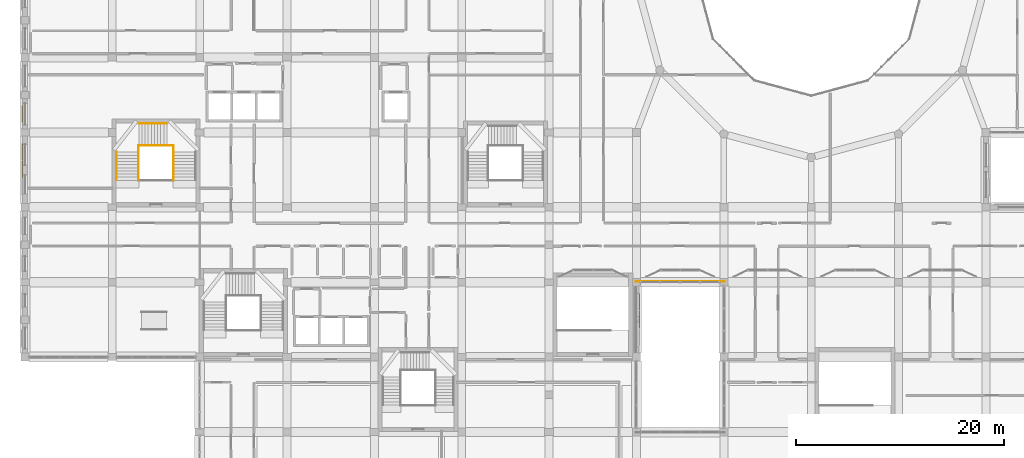
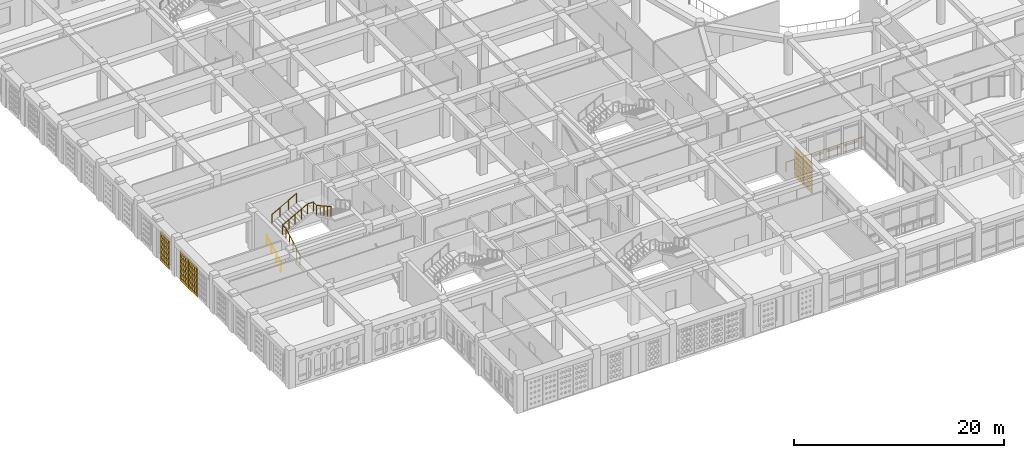
# One storey, part 94 of 121: 6 railings, 5 coverings.
"""IFC4 building model written with IfcOpenShell, lengths in metres."""

from ifc_helpers import new_model, si_unit, derived_unit, direction, frame, origin, origin_2d, place, context, subcontext, project, spatial, polyline, circle, outline, extrude, material, layer, layer_set, type_object, element, save


model = new_model("IFC4")

# Units and contexts
model_context = context("Model", 3, precision=1e-05, world=origin(), true_north=direction((0.0, 1.0)))
body_context = subcontext(model_context, "Body", "Model", "MODEL_VIEW")
ifc_project = project(units=[si_unit("LENGTHUNIT", "METRE"), si_unit("AREAUNIT", "SQUARE_METRE"), si_unit("VOLUMEUNIT", "CUBIC_METRE"), si_unit("PLANEANGLEUNIT", "RADIAN"), si_unit("MASSUNIT", "GRAM", prefix="KILO"), derived_unit("THERMALTRANSMITTANCEUNIT", [(si_unit("POWERUNIT", "WATT"), 1), (si_unit("LENGTHUNIT", "METRE"), -2), (si_unit("THERMODYNAMICTEMPERATUREUNIT", "KELVIN"), -1)])], contexts=[model_context])

# Site, building, storey
site_placement = place(None, origin())
site = spatial("IfcSite", under=ifc_project, at=site_placement, CompositionType="ELEMENT")
building_placement = place(site_placement, origin())
building = spatial("IfcBuilding", under=site, at=building_placement, Name="Veybourne Emporium", CompositionType="ELEMENT")
storey_placement = place(building_placement, frame((0.0, 0.0, 5.39990234375)))
storey = spatial("IfcBuildingStorey", under=building, at=storey_placement, Name="L01", CompositionType="ELEMENT", Elevation=5.39990234375)

# Railings
ifc_material_1 = material(Name="Patinated Architectural Bronze", Category="bronze")
railing_type_1 = type_object("IfcRailingType", Name="Balustrade_BL-01", PredefinedType="BALUSTRADE", material=ifc_material_1)
railing_1_placement = place(storey_placement, frame((67.260009765625, 21.659912109375, 0.0)))
element("IfcRailing", 1, at=railing_1_placement, inside=storey, type_object=railing_type_1, Name="L01 shopping arcade gallery balustrade 3", PredefinedType="BALUSTRADE", context=body_context, shape_type="SweptSolid", body=[
    extrude(circle(Radius=0.02392578125, at=origin_2d()), frame((0.0, 0.0, 1.1259765625), z_axis=(-1.0, 0.0, 0.0), x_axis=(0.0, -1.0, 0.0)), (0.0, 0.0, 1.0), 8.52001953125),
    extrude(circle(Radius=0.02099609375, at=origin_2d()), origin(), (0.0, 0.0, 1.0), 1.101806640625),
    extrude(circle(Radius=0.02099609375, at=origin_2d()), frame((-0.94677734375, 0.0, 0.0)), (0.0, 0.0, 1.0), 1.101806640625),
    extrude(circle(Radius=0.02099609375, at=origin_2d()), frame((-1.893310546875, 0.0, 0.0)), (0.0, 0.0, 1.0), 1.101806640625),
    extrude(circle(Radius=0.02099609375, at=origin_2d()), frame((-2.840087890625, 0.0, 0.0)), (0.0, 0.0, 1.0), 1.101806640625),
    extrude(circle(Radius=0.02099609375, at=origin_2d()), frame((-3.78662109375, 0.0, 0.0)), (0.0, 0.0, 1.0), 1.101806640625),
    extrude(circle(Radius=0.02099609375, at=origin_2d()), frame((-4.7333984375, 0.0, 0.0)), (0.0, 0.0, 1.0), 1.101806640625),
    extrude(circle(Radius=0.02099609375, at=origin_2d()), frame((-5.679931640625, 0.0, 0.0)), (0.0, 0.0, 1.0), 1.101806640625),
    extrude(circle(Radius=0.02099609375, at=origin_2d()), frame((-6.626708984375, 0.0, 0.0)), (0.0, 0.0, 1.0), 1.101806640625),
    extrude(circle(Radius=0.02099609375, at=origin_2d()), frame((-7.5732421875, 0.0, 0.0)), (0.0, 0.0, 1.0), 1.101806640625),
    extrude(circle(Radius=0.02099609375, at=origin_2d()), frame((-8.52001953125, 0.0, 0.0)), (0.0, 0.0, 1.0), 1.101806640625),
])
ifc_material_2 = material(Name="Brushed Stainless Steel", Category="steel")
railing_type_2 = type_object("IfcRailingType", Name="Guard_GR-01", PredefinedType="GUARDRAIL", material=ifc_material_2)
railing_2_placement = place(storey_placement, frame((10.909912109375, 31.39990234375, 0.0)))
element("IfcRailing", 2, at=railing_2_placement, inside=storey, type_object=railing_type_2, Name="L01 ST-02 stair guard 1", PredefinedType="GUARDRAIL", context=body_context, shape_type="SweptSolid", body=[
    extrude(circle(Radius=0.02392578125, at=origin_2d()), frame((0.0, 0.0, 1.1259765625), z_axis=(0.0, 0.874172188743, 0.48561608749), x_axis=(-1.0, 0.0, 0.0)), (0.0, 0.0, 1.0), 3.0888671875),
    extrude(circle(Radius=0.02392578125, at=origin_2d()), frame((0.0, 2.7001953125, 2.6259765625), z_axis=(0.0, 1.0, 0.0), x_axis=(-1.0, 0.0, 0.0)), (0.0, 0.0, 1.0), 0.639892578125),
    extrude(circle(Radius=0.02099609375, at=origin_2d()), origin(), (0.0, 0.0, 1.0), 1.101806640625),
    extrude(circle(Radius=0.02099609375, at=origin_2d()), frame((0.0, 0.675048828125, 0.375)), (0.0, 0.0, 1.0), 1.101806640625),
    extrude(circle(Radius=0.02099609375, at=origin_2d()), frame((0.0, 1.35009765625, 0.75)), (0.0, 0.0, 1.0), 1.101806640625),
    extrude(circle(Radius=0.02099609375, at=origin_2d()), frame((0.0, 2.025146484375, 1.125)), (0.0, 0.0, 1.0), 1.101806640625),
    extrude(circle(Radius=0.02099609375, at=origin_2d()), frame((0.0, 2.7001953125, 1.5)), (0.0, 0.0, 1.0), 1.101806640625),
    extrude(circle(Radius=0.02099609375, at=origin_2d()), frame((0.0, 3.340087890625, 1.5)), (0.0, 0.0, 1.0), 1.101806640625),
])
railing_3_placement = place(storey_placement, frame((10.909912109375, 34.739990234375, 1.5)))
element("IfcRailing", 3, at=railing_3_placement, inside=storey, type_object=railing_type_2, Name="L01 ST-02 stair guard 2", PredefinedType="GUARDRAIL", context=body_context, shape_type="SweptSolid", body=[
    extrude(circle(Radius=0.02392578125, at=origin_2d()), frame((0.0, 0.0, 1.1259765625), z_axis=(0.87715976088, 0.0, 0.480198660861), x_axis=(0.0, 1.0, 0.0)), (0.0, 0.0, 1.0), 3.123779296875),
    extrude(circle(Radius=0.02392578125, at=origin_2d()), frame((2.739990234375, 0.0, 2.6259765625), z_axis=(1.0, 0.0, 0.0), x_axis=(0.0, 1.0, 0.0)), (0.0, 0.0, 1.0), 0.64013671875),
    extrude(circle(Radius=0.02099609375, at=origin_2d()), origin(), (0.0, 0.0, 1.0), 1.101806640625),
    extrude(circle(Radius=0.02099609375, at=origin_2d()), frame((0.68505859375, 0.0, 0.375)), (0.0, 0.0, 1.0), 1.101806640625),
    extrude(circle(Radius=0.02099609375, at=origin_2d()), frame((1.3701171875, 0.0, 0.75)), (0.0, 0.0, 1.0), 1.101806640625),
    extrude(circle(Radius=0.02099609375, at=origin_2d()), frame((2.054931640625, 0.0, 1.125)), (0.0, 0.0, 1.0), 1.101806640625),
    extrude(circle(Radius=0.02099609375, at=origin_2d()), frame((2.739990234375, 0.0, 1.5)), (0.0, 0.0, 1.0), 1.101806640625),
    extrude(circle(Radius=0.02099609375, at=origin_2d()), frame((3.380126953125, 0.0, 1.5)), (0.0, 0.0, 1.0), 1.101806640625),
])
railing_4_placement = place(storey_placement, frame((14.2900390625, 34.739990234375, 3.0)))
element("IfcRailing", 4, at=railing_4_placement, inside=storey, type_object=railing_type_2, Name="L01 ST-02 stair guard 3", PredefinedType="GUARDRAIL", context=body_context, shape_type="SweptSolid", body=[
    extrude(circle(Radius=0.02392578125, at=origin_2d()), frame((0.0, 0.0, 1.1259765625), z_axis=(0.0, -1.0, 0.0), x_axis=(1.0, 0.0, 0.0)), (0.0, 0.0, 1.0), 0.639892578125),
    extrude(circle(Radius=0.02392578125, at=origin_2d()), frame((0.0, -0.639892578125, 1.1259765625), z_axis=(0.0, -0.874172188743, 0.48561608749), x_axis=(1.0, 0.0, 0.0)), (0.0, 0.0, 1.0), 3.0888671875),
    extrude(circle(Radius=0.02099609375, at=origin_2d()), origin(), (0.0, 0.0, 1.0), 1.101806640625),
    extrude(circle(Radius=0.02099609375, at=origin_2d()), frame((0.0, -0.639892578125, 0.0)), (0.0, 0.0, 1.0), 1.101806640625),
    extrude(circle(Radius=0.02099609375, at=origin_2d()), frame((0.0, -1.31494140625, 0.375)), (0.0, 0.0, 1.0), 1.101806640625),
    extrude(circle(Radius=0.02099609375, at=origin_2d()), frame((0.0, -1.989990234375, 0.75)), (0.0, 0.0, 1.0), 1.101806640625),
    extrude(circle(Radius=0.02099609375, at=origin_2d()), frame((0.0, -2.6650390625, 1.125)), (0.0, 0.0, 1.0), 1.101806640625),
    extrude(circle(Radius=0.02099609375, at=origin_2d()), frame((0.0, -3.340087890625, 1.5)), (0.0, 0.0, 1.0), 1.101806640625),
])
railing_type_3 = type_object("IfcRailingType", Name="Handrail_HR-01", PredefinedType="HANDRAIL", material=ifc_material_2)
railing_5_placement = place(storey_placement, frame((8.81005859375, 31.39990234375, 0.150146484375)))
element("IfcRailing", 5, at=railing_5_placement, inside=storey, type_object=railing_type_3, Name="L01 ST-02 pitch handrail 1", PredefinedType="HANDRAIL", context=body_context, shape_type="SweptSolid", body=[
    extrude(circle(Radius=0.02392578125, at=origin_2d()), frame((0.0, 0.0, 0.92578125), z_axis=(0.0, 0.874172188743, 0.48561608749), x_axis=(-1.0, 0.0, 0.0)), (0.0, 0.0, 1.0), 3.0888671875),
    extrude(circle(Radius=0.02099609375, at=origin_2d()), frame((0.0, 0.0, -0.14990234375)), (0.0, 0.0, 1.0), 1.0517578125),
    extrude(circle(Radius=0.02099609375, at=origin_2d()), frame((0.0, 0.900146484375, 0.35009765625)), (0.0, 0.0, 1.0), 1.0517578125),
    extrude(circle(Radius=0.02099609375, at=origin_2d()), frame((0.0, 1.800048828125, 0.85009765625)), (0.0, 0.0, 1.0), 1.0517578125),
    extrude(circle(Radius=0.02099609375, at=origin_2d()), frame((0.0, 2.7001953125, 1.35009765625)), (0.0, 0.0, 1.0), 1.0517578125),
])
railing_6_placement = place(storey_placement, frame((10.949951171875, 36.840087890625, 1.650146484375)))
element("IfcRailing", 6, at=railing_6_placement, inside=storey, type_object=railing_type_3, Name="L01 ST-02 pitch handrail 2", PredefinedType="HANDRAIL", context=body_context, shape_type="SweptSolid", body=[
    extrude(circle(Radius=0.02392578125, at=origin_2d()), frame((0.0, 0.0, 0.92578125), z_axis=(0.87415354758, 0.0, 0.485649642493), x_axis=(0.0, 1.0, 0.0)), (0.0, 0.0, 1.0), 3.088623046875),
    extrude(circle(Radius=0.02099609375, at=origin_2d()), frame((0.0, 0.0, -0.14990234375)), (0.0, 0.0, 1.0), 1.0517578125),
    extrude(circle(Radius=0.02099609375, at=origin_2d()), frame((0.89990234375, 0.0, 0.35009765625)), (0.0, 0.0, 1.0), 1.0517578125),
    extrude(circle(Radius=0.02099609375, at=origin_2d()), frame((1.800048828125, 0.0, 0.85009765625)), (0.0, 0.0, 1.0), 1.0517578125),
    extrude(circle(Radius=0.02099609375, at=origin_2d()), frame((2.699951171875, 0.0, 1.35009765625)), (0.0, 0.0, 1.0), 1.0517578125),
])

# Coverings
ifc_material_3 = material(Name="Warm-White Perforated Aluminium Screen Alloy", Category="aluminium")
ifc_layer_1 = layer(ifc_material_3, 0.06005859375)
ifc_layer_set_1 = layer_set([ifc_layer_1], Name="Warm-White Perforated Aluminium Screen Alloy")
covering_type_1 = type_object("IfcCoveringType", Name="WaveScreen_SCR-01", PredefinedType="CLADDING", material=ifc_layer_set_1)
covering_1_placement = place(storey_placement, frame((-0.298095703125, 34.10498046875, 1.815185546875), z_axis=(1.0, 0.0, 0.0), x_axis=(0.0, 1.0, 0.0)))
element("IfcCovering", 7, at=covering_1_placement, inside=storey, type_object=covering_type_1, Name="L01 wave-perforated aluminium screen SCR-01 (4.3)", PredefinedType="CLADDING", context=body_context, shape_type="SweptSolid", body=[
    extrude(outline(polyline([(-0.81982421875, -1.7548828125), (0.81982421875, -1.7548828125), (0.81982421875, 1.7548828125), (-0.81982421875, 1.7548828125), (-0.81982421875, -1.7548828125)]), holes=[polyline([(-0.433349609375, -0.964111328125), (-0.2470703125, -1.133056640625), (-0.2470703125, -1.322998046875), (-0.433349609375, -1.491943359375), (-0.61962890625, -1.322998046875), (-0.61962890625, -1.133056640625), (-0.433349609375, -0.964111328125)]), polyline([(-0.433349609375, -0.35009765625), (-0.2470703125, -0.51904296875), (-0.2470703125, -0.708984375), (-0.433349609375, -0.8779296875), (-0.61962890625, -0.708984375), (-0.61962890625, -0.51904296875), (-0.433349609375, -0.35009765625)]), polyline([(-0.433349609375, 0.263916015625), (-0.2470703125, 0.094970703125), (-0.2470703125, -0.094970703125), (-0.433349609375, -0.263916015625), (-0.61962890625, -0.094970703125), (-0.61962890625, 0.094970703125), (-0.433349609375, 0.263916015625)]), polyline([(-0.433349609375, 0.8779296875), (-0.2470703125, 0.708984375), (-0.2470703125, 0.51904296875), (-0.433349609375, 0.35009765625), (-0.61962890625, 0.51904296875), (-0.61962890625, 0.708984375), (-0.433349609375, 0.8779296875)]), polyline([(-0.433349609375, 1.491943359375), (-0.2470703125, 1.322998046875), (-0.2470703125, 1.133056640625), (-0.433349609375, 0.964111328125), (-0.61962890625, 1.133056640625), (-0.61962890625, 1.322998046875), (-0.433349609375, 1.491943359375)]), polyline([(0.0, -0.964111328125), (0.186279296875, -1.133056640625), (0.186279296875, -1.322998046875), (0.0, -1.491943359375), (-0.186279296875, -1.322998046875), (-0.186279296875, -1.133056640625), (0.0, -0.964111328125)]), polyline([(0.0, -0.35009765625), (0.186279296875, -0.51904296875), (0.186279296875, -0.708984375), (0.0, -0.8779296875), (-0.186279296875, -0.708984375), (-0.186279296875, -0.51904296875), (0.0, -0.35009765625)]), polyline([(0.0, 0.263916015625), (0.186279296875, 0.094970703125), (0.186279296875, -0.094970703125), (0.0, -0.263916015625), (-0.186279296875, -0.094970703125), (-0.186279296875, 0.094970703125), (0.0, 0.263916015625)]), polyline([(0.0, 0.8779296875), (0.186279296875, 0.708984375), (0.186279296875, 0.51904296875), (0.0, 0.35009765625), (-0.186279296875, 0.51904296875), (-0.186279296875, 0.708984375), (0.0, 0.8779296875)]), polyline([(0.0, 1.488525390625), (0.186279296875, 1.32177734375), (0.186279296875, 1.13427734375), (0.0, 0.96728515625), (-0.186279296875, 1.13427734375), (-0.186279296875, 1.32177734375), (0.0, 1.488525390625)]), polyline([(0.433349609375, -0.964111328125), (0.61962890625, -1.133056640625), (0.61962890625, -1.322998046875), (0.433349609375, -1.491943359375), (0.2470703125, -1.322998046875), (0.2470703125, -1.133056640625), (0.433349609375, -0.964111328125)]), polyline([(0.433349609375, -0.35009765625), (0.61962890625, -0.51904296875), (0.61962890625, -0.708984375), (0.433349609375, -0.8779296875), (0.2470703125, -0.708984375), (0.2470703125, -0.51904296875), (0.433349609375, -0.35009765625)]), polyline([(0.433349609375, 0.263916015625), (0.61962890625, 0.094970703125), (0.61962890625, -0.094970703125), (0.433349609375, -0.263916015625), (0.2470703125, -0.094970703125), (0.2470703125, 0.094970703125), (0.433349609375, 0.263916015625)]), polyline([(0.433349609375, 0.8779296875), (0.61962890625, 0.708984375), (0.61962890625, 0.51904296875), (0.433349609375, 0.35009765625), (0.2470703125, 0.51904296875), (0.2470703125, 0.708984375), (0.433349609375, 0.8779296875)]), polyline([(0.433349609375, 1.484619140625), (0.61962890625, 1.3203125), (0.61962890625, 1.135498046875), (0.433349609375, 0.97119140625), (0.2470703125, 1.135498046875), (0.2470703125, 1.3203125), (0.433349609375, 1.484619140625)])]), origin(), (0.0, 0.0, 1.0), 0.06005859375),
])
covering_2_placement = place(storey_placement, frame((59.09814453125, 19.679931640625, 1.815185546875), z_axis=(-1.0, 0.0, 0.0), x_axis=(0.0, -1.0, 0.0)))
element("IfcCovering", 8, at=covering_2_placement, inside=storey, type_object=covering_type_1, Name="L01 wave-perforated aluminium screen SCR-01 (30.1)", PredefinedType="CLADDING", context=body_context, shape_type="SweptSolid", body=[
    extrude(outline(polyline([(-0.81982421875, -1.7548828125), (0.81982421875, -1.7548828125), (0.81982421875, 1.7548828125), (-0.81982421875, 1.7548828125), (-0.81982421875, -1.7548828125)]), holes=[polyline([(-0.433349609375, -1.0537109375), (-0.280517578125, -1.165283203125), (-0.280517578125, -1.290771484375), (-0.433349609375, -1.40234375), (-0.5859375, -1.290771484375), (-0.5859375, -1.165283203125), (-0.433349609375, -1.0537109375)]), polyline([(-0.433349609375, -0.453125), (-0.291748046875, -0.55615234375), (-0.291748046875, -0.671875), (-0.433349609375, -0.77490234375), (-0.574951171875, -0.671875), (-0.574951171875, -0.55615234375), (-0.433349609375, -0.453125)]), polyline([(-0.433349609375, 0.148193359375), (-0.302001953125, 0.053466796875), (-0.302001953125, -0.053466796875), (-0.433349609375, -0.148193359375), (-0.564697265625, -0.053466796875), (-0.564697265625, 0.053466796875), (-0.433349609375, 0.148193359375)]), polyline([(-0.433349609375, 0.751220703125), (-0.311279296875, 0.663330078125), (-0.311279296875, 0.564697265625), (-0.433349609375, 0.476806640625), (-0.555419921875, 0.564697265625), (-0.555419921875, 0.663330078125), (-0.433349609375, 0.751220703125)]), polyline([(-0.433349609375, 1.35546875), (-0.319091796875, 1.27392578125), (-0.319091796875, 1.18212890625), (-0.433349609375, 1.1005859375), (-0.547607421875, 1.18212890625), (-0.547607421875, 1.27392578125), (-0.433349609375, 1.35546875)]), polyline([(0.0, -1.04736328125), (0.157958984375, -1.162841796875), (0.157958984375, -1.293212890625), (0.0, -1.40869140625), (-0.157958984375, -1.293212890625), (-0.157958984375, -1.162841796875), (0.0, -1.04736328125)]), polyline([(0.0, -0.447021484375), (0.146484375, -0.553955078125), (0.146484375, -0.674072265625), (0.0, -0.781005859375), (-0.146484375, -0.674072265625), (-0.146484375, -0.553955078125), (0.0, -0.447021484375)]), polyline([(0.0, 0.15380859375), (0.135986328125, 0.055419921875), (0.135986328125, -0.055419921875), (0.0, -0.15380859375), (-0.135986328125, -0.055419921875), (-0.135986328125, 0.055419921875), (0.0, 0.15380859375)]), polyline([(0.0, 0.756103515625), (0.126220703125, 0.6650390625), (0.126220703125, 0.56298828125), (0.0, 0.471923828125), (-0.126220703125, 0.56298828125), (-0.126220703125, 0.6650390625), (0.0, 0.756103515625)]), polyline([(0.0, 1.359619140625), (0.11767578125, 1.275390625), (0.11767578125, 1.1806640625), (0.0, 1.096435546875), (-0.11767578125, 1.1806640625), (-0.11767578125, 1.275390625), (0.0, 1.359619140625)]), polyline([(0.433349609375, -1.041015625), (0.596435546875, -1.16064453125), (0.596435546875, -1.29541015625), (0.433349609375, -1.4150390625), (0.270263671875, -1.29541015625), (0.270263671875, -1.16064453125), (0.433349609375, -1.041015625)]), polyline([(0.433349609375, -0.44091796875), (0.5849609375, -0.5517578125), (0.5849609375, -0.67626953125), (0.433349609375, -0.787109375), (0.28173828125, -0.67626953125), (0.28173828125, -0.5517578125), (0.433349609375, -0.44091796875)]), polyline([(0.433349609375, 0.15966796875), (0.573974609375, 0.0576171875), (0.573974609375, -0.0576171875), (0.433349609375, -0.15966796875), (0.292724609375, -0.0576171875), (0.292724609375, 0.0576171875), (0.433349609375, 0.15966796875)]), polyline([(0.433349609375, 0.76123046875), (0.563720703125, 0.6669921875), (0.563720703125, 0.56103515625), (0.433349609375, 0.466796875), (0.302978515625, 0.56103515625), (0.302978515625, 0.6669921875), (0.433349609375, 0.76123046875)]), polyline([(0.433349609375, 1.364013671875), (0.5546875, 1.277099609375), (0.5546875, 1.178955078125), (0.433349609375, 1.091796875), (0.31201171875, 1.178955078125), (0.31201171875, 1.277099609375), (0.433349609375, 1.364013671875)])]), origin(), (0.0, 0.0, 1.0), 0.06005859375),
])
ifc_layer_2 = layer(ifc_material_3, 0.06005859375)
ifc_layer_set_2 = layer_set([ifc_layer_2], Name="Warm-White Perforated Aluminium Screen Alloy")
covering_type_2 = type_object("IfcCoveringType", Name="WaveScreen_SCR-02", PredefinedType="CLADDING", material=ifc_layer_set_2)
covering_3_placement = place(storey_placement, frame((59.09814453125, 18.0, 1.815185546875), z_axis=(-1.0, 0.0, 0.0), x_axis=(0.0, -1.0, 0.0)))
element("IfcCovering", 9, at=covering_3_placement, inside=storey, type_object=covering_type_2, Name="L01 wave-perforated aluminium screen SCR-02 (30.2)", PredefinedType="CLADDING", context=body_context, shape_type="SweptSolid", body=[
    extrude(outline(polyline([(-0.81982421875, -1.7548828125), (0.81982421875, -1.7548828125), (0.81982421875, 1.7548828125), (-0.81982421875, 1.7548828125), (-0.81982421875, -1.7548828125)]), holes=[polyline([(-0.433349609375, -1.02880859375), (-0.26025390625, -1.15625), (-0.26025390625, -1.2998046875), (-0.433349609375, -1.42724609375), (-0.606201171875, -1.2998046875), (-0.606201171875, -1.15625), (-0.433349609375, -1.02880859375)]), polyline([(-0.433349609375, -0.428955078125), (-0.27197265625, -0.54736328125), (-0.27197265625, -0.6806640625), (-0.433349609375, -0.799072265625), (-0.5947265625, -0.6806640625), (-0.5947265625, -0.54736328125), (-0.433349609375, -0.428955078125)]), polyline([(-0.433349609375, 0.171142578125), (-0.283203125, 0.0615234375), (-0.283203125, -0.0615234375), (-0.433349609375, -0.171142578125), (-0.583251953125, -0.0615234375), (-0.583251953125, 0.0615234375), (-0.433349609375, 0.171142578125)]), polyline([(-0.433349609375, 0.771728515625), (-0.294189453125, 0.6708984375), (-0.294189453125, 0.55712890625), (-0.433349609375, 0.456298828125), (-0.572509765625, 0.55712890625), (-0.572509765625, 0.6708984375), (-0.433349609375, 0.771728515625)]), polyline([(-0.433349609375, 1.37353515625), (-0.30419921875, 1.280517578125), (-0.30419921875, 1.175537109375), (-0.433349609375, 1.08251953125), (-0.5625, 1.175537109375), (-0.5625, 1.280517578125), (-0.433349609375, 1.37353515625)]), polyline([(0.0, -1.0224609375), (0.17822265625, -1.154052734375), (0.17822265625, -1.302001953125), (0.0, -1.43359375), (-0.17822265625, -1.302001953125), (-0.17822265625, -1.154052734375), (0.0, -1.0224609375)]), polyline([(0.0, -0.422607421875), (0.166748046875, -0.545166015625), (0.166748046875, -0.682861328125), (0.0, -0.805419921875), (-0.166748046875, -0.682861328125), (-0.166748046875, -0.545166015625), (0.0, -0.422607421875)]), polyline([(0.0, 0.177490234375), (0.155029296875, 0.06396484375), (0.155029296875, -0.06396484375), (0.0, -0.177490234375), (-0.155029296875, -0.06396484375), (-0.155029296875, 0.06396484375), (0.0, 0.177490234375)]), polyline([(0.0, 0.777587890625), (0.143798828125, 0.6728515625), (0.143798828125, 0.55517578125), (0.0, 0.4501953125), (-0.143798828125, 0.55517578125), (-0.143798828125, 0.6728515625), (0.0, 0.777587890625)]), polyline([(0.0, 1.37890625), (0.133544921875, 1.2822265625), (0.133544921875, 1.173583984375), (0.0, 1.0771484375), (-0.133544921875, 1.173583984375), (-0.133544921875, 1.2822265625), (0.0, 1.37890625)]), polyline([(0.433349609375, -1.01611328125), (0.61669921875, -1.151611328125), (0.61669921875, -1.30419921875), (0.433349609375, -1.43994140625), (0.25, -1.30419921875), (0.25, -1.151611328125), (0.433349609375, -1.01611328125)]), polyline([(0.433349609375, -0.416015625), (0.605224609375, -0.542724609375), (0.605224609375, -0.685302734375), (0.433349609375, -0.81201171875), (0.261474609375, -0.685302734375), (0.261474609375, -0.542724609375), (0.433349609375, -0.416015625)]), polyline([(0.433349609375, 0.18359375), (0.59375, 0.066162109375), (0.59375, -0.066162109375), (0.433349609375, -0.18359375), (0.27294921875, -0.066162109375), (0.27294921875, 0.066162109375), (0.433349609375, 0.18359375)]), polyline([(0.433349609375, 0.78369140625), (0.582275390625, 0.675048828125), (0.582275390625, 0.552978515625), (0.433349609375, 0.444091796875), (0.284423828125, 0.552978515625), (0.284423828125, 0.675048828125), (0.433349609375, 0.78369140625)]), polyline([(0.433349609375, 1.384521484375), (0.571533203125, 1.284423828125), (0.571533203125, 1.171630859375), (0.433349609375, 1.0712890625), (0.295166015625, 1.171630859375), (0.295166015625, 1.284423828125), (0.433349609375, 1.384521484375)])]), origin(), (0.0, 0.0, 1.0), 0.06005859375),
])
ifc_layer_3 = layer(ifc_material_3, 0.06005859375)
ifc_layer_set_3 = layer_set([ifc_layer_3], Name="Warm-White Perforated Aluminium Screen Alloy")
covering_type_3 = type_object("IfcCoveringType", Name="WaveScreen_SCR-04", PredefinedType="CLADDING", material=ifc_layer_set_3)
covering_4_placement = place(storey_placement, frame((-0.298095703125, 32.425048828125, 1.815185546875), z_axis=(1.0, 0.0, 0.0), x_axis=(0.0, 1.0, 0.0)))
element("IfcCovering", 10, at=covering_4_placement, inside=storey, type_object=covering_type_3, Name="L01 wave-perforated aluminium screen SCR-04 (4.2)", PredefinedType="CLADDING", context=body_context, shape_type="SweptSolid", body=[
    extrude(outline(polyline([(-0.81982421875, -1.7548828125), (0.81982421875, -1.7548828125), (0.81982421875, 1.7548828125), (-0.81982421875, 1.7548828125), (-0.81982421875, -1.7548828125)]), holes=[polyline([(-0.433349609375, -0.964111328125), (-0.2470703125, -1.133056640625), (-0.2470703125, -1.322998046875), (-0.433349609375, -1.491943359375), (-0.61962890625, -1.322998046875), (-0.61962890625, -1.133056640625), (-0.433349609375, -0.964111328125)]), polyline([(-0.433349609375, -0.35009765625), (-0.2470703125, -0.51904296875), (-0.2470703125, -0.708984375), (-0.433349609375, -0.8779296875), (-0.61962890625, -0.708984375), (-0.61962890625, -0.51904296875), (-0.433349609375, -0.35009765625)]), polyline([(-0.433349609375, 0.263916015625), (-0.2470703125, 0.094970703125), (-0.2470703125, -0.094970703125), (-0.433349609375, -0.263916015625), (-0.61962890625, -0.094970703125), (-0.61962890625, 0.094970703125), (-0.433349609375, 0.263916015625)]), polyline([(-0.433349609375, 0.8779296875), (-0.2470703125, 0.708984375), (-0.2470703125, 0.51904296875), (-0.433349609375, 0.35009765625), (-0.61962890625, 0.51904296875), (-0.61962890625, 0.708984375), (-0.433349609375, 0.8779296875)]), polyline([(-0.433349609375, 1.491943359375), (-0.2470703125, 1.322998046875), (-0.2470703125, 1.133056640625), (-0.433349609375, 0.964111328125), (-0.61962890625, 1.133056640625), (-0.61962890625, 1.322998046875), (-0.433349609375, 1.491943359375)]), polyline([(0.0, -0.964111328125), (0.186279296875, -1.133056640625), (0.186279296875, -1.322998046875), (0.0, -1.491943359375), (-0.186279296875, -1.322998046875), (-0.186279296875, -1.133056640625), (0.0, -0.964111328125)]), polyline([(0.0, -0.35009765625), (0.186279296875, -0.51904296875), (0.186279296875, -0.708984375), (0.0, -0.8779296875), (-0.186279296875, -0.708984375), (-0.186279296875, -0.51904296875), (0.0, -0.35009765625)]), polyline([(0.0, 0.263916015625), (0.186279296875, 0.094970703125), (0.186279296875, -0.094970703125), (0.0, -0.263916015625), (-0.186279296875, -0.094970703125), (-0.186279296875, 0.094970703125), (0.0, 0.263916015625)]), polyline([(0.0, 0.8779296875), (0.186279296875, 0.708984375), (0.186279296875, 0.51904296875), (0.0, 0.35009765625), (-0.186279296875, 0.51904296875), (-0.186279296875, 0.708984375), (0.0, 0.8779296875)]), polyline([(0.0, 1.491943359375), (0.186279296875, 1.322998046875), (0.186279296875, 1.133056640625), (0.0, 0.964111328125), (-0.186279296875, 1.133056640625), (-0.186279296875, 1.322998046875), (0.0, 1.491943359375)]), polyline([(0.433349609375, -0.964111328125), (0.61962890625, -1.133056640625), (0.61962890625, -1.322998046875), (0.433349609375, -1.491943359375), (0.2470703125, -1.322998046875), (0.2470703125, -1.133056640625), (0.433349609375, -0.964111328125)]), polyline([(0.433349609375, -0.35009765625), (0.61962890625, -0.51904296875), (0.61962890625, -0.708984375), (0.433349609375, -0.8779296875), (0.2470703125, -0.708984375), (0.2470703125, -0.51904296875), (0.433349609375, -0.35009765625)]), polyline([(0.433349609375, 0.263916015625), (0.61962890625, 0.094970703125), (0.61962890625, -0.094970703125), (0.433349609375, -0.263916015625), (0.2470703125, -0.094970703125), (0.2470703125, 0.094970703125), (0.433349609375, 0.263916015625)]), polyline([(0.433349609375, 0.8779296875), (0.61962890625, 0.708984375), (0.61962890625, 0.51904296875), (0.433349609375, 0.35009765625), (0.2470703125, 0.51904296875), (0.2470703125, 0.708984375), (0.433349609375, 0.8779296875)]), polyline([(0.433349609375, 1.491943359375), (0.61962890625, 1.322998046875), (0.61962890625, 1.133056640625), (0.433349609375, 0.964111328125), (0.2470703125, 1.133056640625), (0.2470703125, 1.322998046875), (0.433349609375, 1.491943359375)])]), origin(), (0.0, 0.0, 1.0), 0.06005859375),
])
covering_5_placement = place(storey_placement, frame((-0.298095703125, 37.777587890625, 1.815185546875), z_axis=(1.0, 0.0, 0.0), x_axis=(0.0, 1.0, 0.0)))
element("IfcCovering", 11, at=covering_5_placement, inside=storey, type_object=covering_type_3, Name="L01 wave-perforated aluminium screen SCR-04 (5A.1)", PredefinedType="CLADDING", context=body_context, shape_type="SweptSolid", body=[
    extrude(outline(polyline([(-0.81982421875, -1.7548828125), (0.81982421875, -1.7548828125), (0.81982421875, 1.7548828125), (-0.81982421875, 1.7548828125), (-0.81982421875, -1.7548828125)]), holes=[polyline([(-0.433349609375, -0.964111328125), (-0.2470703125, -1.133056640625), (-0.2470703125, -1.322998046875), (-0.433349609375, -1.491943359375), (-0.61962890625, -1.322998046875), (-0.61962890625, -1.133056640625), (-0.433349609375, -0.964111328125)]), polyline([(-0.433349609375, -0.356689453125), (-0.2470703125, -0.521484375), (-0.2470703125, -0.70654296875), (-0.433349609375, -0.871337890625), (-0.61962890625, -0.70654296875), (-0.61962890625, -0.521484375), (-0.433349609375, -0.356689453125)]), polyline([(-0.433349609375, 0.24755859375), (-0.2470703125, 0.089111328125), (-0.2470703125, -0.089111328125), (-0.433349609375, -0.24755859375), (-0.61962890625, -0.089111328125), (-0.61962890625, 0.089111328125), (-0.433349609375, 0.24755859375)]), polyline([(-0.433349609375, 0.85009765625), (-0.2470703125, 0.698974609375), (-0.2470703125, 0.529052734375), (-0.433349609375, 0.377685546875), (-0.61962890625, 0.529052734375), (-0.61962890625, 0.698974609375), (-0.433349609375, 0.85009765625)]), polyline([(-0.433349609375, 1.45166015625), (-0.2470703125, 1.30859375), (-0.2470703125, 1.1474609375), (-0.433349609375, 1.00439453125), (-0.61962890625, 1.1474609375), (-0.61962890625, 1.30859375), (-0.433349609375, 1.45166015625)]), polyline([(0.0, -0.96630859375), (0.186279296875, -1.1337890625), (0.186279296875, -1.322265625), (0.0, -1.48974609375), (-0.186279296875, -1.322265625), (-0.186279296875, -1.1337890625), (0.0, -0.96630859375)]), polyline([(0.0, -0.36083984375), (0.186279296875, -0.52294921875), (0.186279296875, -0.705078125), (0.0, -0.8671875), (-0.186279296875, -0.705078125), (-0.186279296875, -0.52294921875), (0.0, -0.36083984375)]), polyline([(0.0, 0.24267578125), (0.186279296875, 0.08740234375), (0.186279296875, -0.08740234375), (0.0, -0.24267578125), (-0.186279296875, -0.08740234375), (-0.186279296875, 0.08740234375), (0.0, 0.24267578125)]), polyline([(0.0, 0.8447265625), (0.186279296875, 0.697021484375), (0.186279296875, 0.531005859375), (0.0, 0.38330078125), (-0.186279296875, 0.531005859375), (-0.186279296875, 0.697021484375), (0.0, 0.8447265625)]), polyline([(0.0, 1.445556640625), (0.186279296875, 1.306396484375), (0.186279296875, 1.149658203125), (0.0, 1.010498046875), (-0.186279296875, 1.149658203125), (-0.186279296875, 1.306396484375), (0.0, 1.445556640625)]), polyline([(0.433349609375, -0.969970703125), (0.61962890625, -1.135009765625), (0.61962890625, -1.32080078125), (0.433349609375, -1.486083984375), (0.2470703125, -1.32080078125), (0.2470703125, -1.135009765625), (0.433349609375, -0.969970703125)]), polyline([(0.433349609375, -0.365478515625), (0.61962890625, -0.5244140625), (0.61962890625, -0.70361328125), (0.433349609375, -0.862548828125), (0.2470703125, -0.70361328125), (0.2470703125, -0.5244140625), (0.433349609375, -0.365478515625)]), polyline([(0.433349609375, 0.2373046875), (0.61962890625, 0.08544921875), (0.61962890625, -0.08544921875), (0.433349609375, -0.2373046875), (0.2470703125, -0.08544921875), (0.2470703125, 0.08544921875), (0.433349609375, 0.2373046875)]), polyline([(0.433349609375, 0.8388671875), (0.61962890625, 0.69482421875), (0.61962890625, 0.533203125), (0.433349609375, 0.38916015625), (0.2470703125, 0.533203125), (0.2470703125, 0.69482421875), (0.433349609375, 0.8388671875)]), polyline([(0.433349609375, 1.439453125), (0.6162109375, 1.30419921875), (0.6162109375, 1.15185546875), (0.433349609375, 1.0166015625), (0.25048828125, 1.15185546875), (0.25048828125, 1.30419921875), (0.433349609375, 1.439453125)])]), origin(), (0.0, 0.0, 1.0), 0.06005859375),
])

save(model, "model.ifc")
